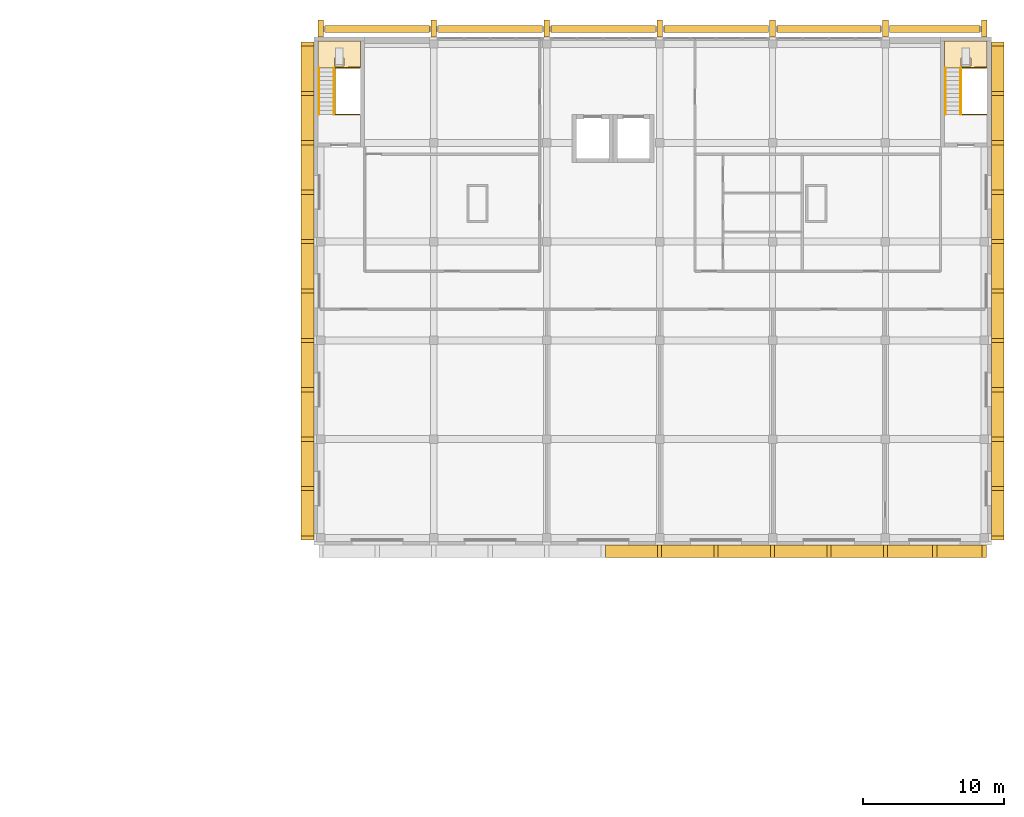
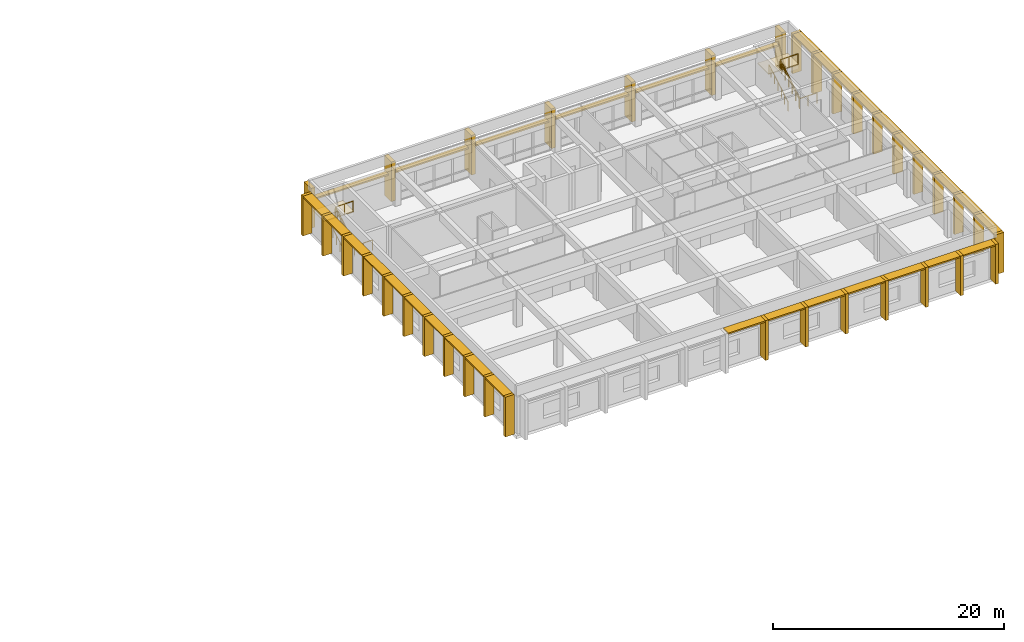
# One storey, part 21 of 21: 69 shading devices, 6 railings, 2 coverings.
"""IFC4 building model written with IfcOpenShell, lengths in metres."""

from ifc_helpers import new_model, si_unit, direction, frame, origin, origin_2d, place, context, subcontext, project, spatial, polyline, rectangle, circle, outline, extrude, material, layer, layer_set, type_object, element, save


model = new_model("IFC4")

# Units and contexts
model_context = context("Model", 3, precision=1e-05, world=origin(), true_north=direction((0.0, 1.0)))
body_context = subcontext(model_context, "Body", "Model", "MODEL_VIEW")
ifc_project = project(units=[si_unit("LENGTHUNIT", "METRE"), si_unit("AREAUNIT", "SQUARE_METRE"), si_unit("VOLUMEUNIT", "CUBIC_METRE"), si_unit("PLANEANGLEUNIT", "RADIAN"), si_unit("MASSUNIT", "GRAM", prefix="KILO")], contexts=[model_context])

# Site, building, storey
site_placement = place(None, origin())
site = spatial("IfcSite", under=ifc_project, at=site_placement, CompositionType="ELEMENT")
building_placement = place(site_placement, origin())
building = spatial("IfcBuilding", under=site, at=building_placement, Name="Elmora Arch Market Hall", CompositionType="ELEMENT")
storey_placement = place(building_placement, frame((0.0, 0.0, 14.39990234375)))
storey = spatial("IfcBuildingStorey", under=building, at=storey_placement, Name="L03", CompositionType="ELEMENT", Elevation=14.39990234375)

# Shading devices
ifc_material_1 = material(Name="Concrete C40/50", Category="concrete")
ifc_layer_1 = layer(ifc_material_1, 0.14990234375)
ifc_layer_set_1 = layer_set([ifc_layer_1], Name="Concrete C40/50")
shading_device_type_1 = type_object("IfcShadingDeviceType", Name="Concrete blade 150x900", PredefinedType="USERDEFINED", material=ifc_layer_set_1)
for number, where, z_axis, x_axis, name in (
    (1, (108.5, 129.550048828125, 4.050048828125), (0.0, 0.0, 1.0), (1.0, 0.0, 0.0), "School blade S6 RF"),
    (2, (112.5, 129.550048828125, 4.050048828125), (0.0, 0.0, 1.0), (1.0, 0.0, 0.0), "School blade S7 RF"),
    (3, (116.5, 129.550048828125, 4.050048828125), (0.0, 0.0, 1.0), (1.0, 0.0, 0.0), "School blade S8 RF"),
    (4, (120.5, 129.550048828125, 4.050048828125), (0.0, 0.0, 1.0), (1.0, 0.0, 0.0), "School blade S9 RF"),
    (5, (124.5, 129.550048828125, 4.050048828125), (0.0, 0.0, 1.0), (1.0, 0.0, 0.0), "School blade S10 RF"),
):
    element("IfcShadingDevice", number, at=place(storey_placement, frame(where, z_axis=z_axis, x_axis=x_axis)), inside=storey, type_object=shading_device_type_1, Name=name, ObjectType="BLADE", PredefinedType="USERDEFINED", context=body_context, shape_type="SweptSolid", body=[
        extrude(rectangle(XDim=3.699951171875, YDim=0.89990234375, at=origin_2d()), origin(), (0.0, 0.0, 1.0), 0.14990234375),
    ])
for number, where, z_axis, x_axis, name in (
    (6, (128.25, 129.550048828125, 4.050048828125), (0.0, 0.0, 1.0), (1.0, 0.0, 0.0), "School blade S11 RF"),
    (7, (131.75, 129.550048828125, 4.050048828125), (0.0, 0.0, 1.0), (1.0, 0.0, 0.0), "School blade S12 RF"),
):
    element("IfcShadingDevice", number, at=place(storey_placement, frame(where, z_axis=z_axis, x_axis=x_axis)), inside=storey, type_object=shading_device_type_1, Name=name, ObjectType="BLADE", PredefinedType="USERDEFINED", context=body_context, shape_type="SweptSolid", body=[
        extrude(rectangle(XDim=3.199951171875, YDim=0.89990234375, at=origin_2d()), origin(), (0.0, 0.0, 1.0), 0.14990234375),
    ])
for number, where, z_axis, x_axis, name in (
    (8, (85.550048828125, 132.25, 4.050048828125), (0.0, 0.0, 1.0), (1.0, 0.0, 0.0), "School blade W1 RF"),
    (9, (85.550048828125, 135.75, 4.050048828125), (0.0, 0.0, 1.0), (1.0, 0.0, 0.0), "School blade W2 RF"),
    (10, (85.550048828125, 139.25, 4.050048828125), (0.0, 0.0, 1.0), (1.0, 0.0, 0.0), "School blade W3 RF"),
    (11, (85.550048828125, 142.75, 4.050048828125), (0.0, 0.0, 1.0), (1.0, 0.0, 0.0), "School blade W4 RF"),
    (12, (85.550048828125, 146.25, 4.050048828125), (0.0, 0.0, 1.0), (1.0, 0.0, 0.0), "School blade W5 RF"),
    (13, (85.550048828125, 149.75, 4.050048828125), (0.0, 0.0, 1.0), (1.0, 0.0, 0.0), "School blade W6 RF"),
    (14, (85.550048828125, 153.25, 4.050048828125), (0.0, 0.0, 1.0), (1.0, 0.0, 0.0), "School blade W7 RF"),
    (15, (85.550048828125, 156.75, 4.050048828125), (0.0, 0.0, 1.0), (1.0, 0.0, 0.0), "School blade W8 RF"),
    (16, (85.550048828125, 160.25, 4.050048828125), (0.0, 0.0, 1.0), (1.0, 0.0, 0.0), "School blade W9 RF"),
    (17, (85.550048828125, 163.75, 4.050048828125), (0.0, 0.0, 1.0), (1.0, 0.0, 0.0), "School blade W10 RF"),
    (18, (134.449951171875, 132.25, 4.050048828125), (0.0, 0.0, 1.0), (1.0, 0.0, 0.0), "School blade E1 RF"),
    (19, (134.449951171875, 135.75, 4.050048828125), (0.0, 0.0, 1.0), (1.0, 0.0, 0.0), "School blade E2 RF"),
    (20, (134.449951171875, 139.25, 4.050048828125), (0.0, 0.0, 1.0), (1.0, 0.0, 0.0), "School blade E3 RF"),
    (21, (134.449951171875, 142.75, 4.050048828125), (0.0, 0.0, 1.0), (1.0, 0.0, 0.0), "School blade E4 RF"),
    (22, (134.449951171875, 146.25, 4.050048828125), (0.0, 0.0, 1.0), (1.0, 0.0, 0.0), "School blade E5 RF"),
    (23, (134.449951171875, 149.75, 4.050048828125), (0.0, 0.0, 1.0), (1.0, 0.0, 0.0), "School blade E6 RF"),
    (24, (134.449951171875, 153.25, 4.050048828125), (0.0, 0.0, 1.0), (1.0, 0.0, 0.0), "School blade E7 RF"),
    (25, (134.449951171875, 156.75, 4.050048828125), (0.0, 0.0, 1.0), (1.0, 0.0, 0.0), "School blade E8 RF"),
    (26, (134.449951171875, 160.25, 4.050048828125), (0.0, 0.0, 1.0), (1.0, 0.0, 0.0), "School blade E9 RF"),
    (27, (134.449951171875, 163.75, 4.050048828125), (0.0, 0.0, 1.0), (1.0, 0.0, 0.0), "School blade E10 RF"),
):
    element("IfcShadingDevice", number, at=place(storey_placement, frame(where, z_axis=z_axis, x_axis=x_axis)), inside=storey, type_object=shading_device_type_1, Name=name, ObjectType="BLADE", PredefinedType="USERDEFINED", context=body_context, shape_type="SweptSolid", body=[
        extrude(rectangle(XDim=0.89990234375, YDim=3.199951171875, at=origin_2d()), origin(), (0.0, 0.0, 1.0), 0.14990234375),
    ])
ifc_material_2 = material(Name="Concrete C40/50", Category="concrete")
shading_device_type_2 = type_object("IfcShadingDeviceType", Name="Concrete fin 300x900", PredefinedType="USERDEFINED", material=ifc_material_2)
for number, where, z_axis, x_axis, name in (
    (28, (110.5, 129.550048828125, 0.0), (0.0, 0.0, 1.0), (1.0, 0.0, 0.0), "School fin S7 L03"),
    (29, (114.5, 129.550048828125, 0.0), (0.0, 0.0, 1.0), (1.0, 0.0, 0.0), "School fin S8 L03"),
    (30, (118.5, 129.550048828125, 0.0), (0.0, 0.0, 1.0), (1.0, 0.0, 0.0), "School fin S9 L03"),
    (31, (122.5, 129.550048828125, 0.0), (0.0, 0.0, 1.0), (1.0, 0.0, 0.0), "School fin S10 L03"),
    (32, (126.5, 129.550048828125, 0.0), (0.0, 0.0, 1.0), (1.0, 0.0, 0.0), "School fin S11 L03"),
    (33, (130.0, 129.550048828125, 0.0), (0.0, 0.0, 1.0), (1.0, 0.0, 0.0), "School fin S12 L03"),
    (34, (133.5, 129.550048828125, 0.0), (0.0, 0.0, 1.0), (1.0, 0.0, 0.0), "School fin S13 L03"),
):
    element("IfcShadingDevice", number, at=place(storey_placement, frame(where, z_axis=z_axis, x_axis=x_axis)), inside=storey, type_object=shading_device_type_2, Name=name, ObjectType="FIN", PredefinedType="USERDEFINED", context=body_context, shape_type="SweptSolid", body=[
        extrude(rectangle(XDim=0.300048828125, YDim=0.89990234375, at=origin_2d()), origin(), (0.0, 0.0, 1.0), 4.199951171875),
    ])
for number, where, z_axis, x_axis, name in (
    (35, (85.550048828125, 130.5, 0.0), (0.0, 0.0, 1.0), (1.0, 0.0, 0.0), "School fin W1 L03"),
    (36, (85.550048828125, 134.0, 0.0), (0.0, 0.0, 1.0), (1.0, 0.0, 0.0), "School fin W2 L03"),
    (37, (85.550048828125, 137.5, 0.0), (0.0, 0.0, 1.0), (1.0, 0.0, 0.0), "School fin W3 L03"),
    (38, (85.550048828125, 141.0, 0.0), (0.0, 0.0, 1.0), (1.0, 0.0, 0.0), "School fin W4 L03"),
    (39, (85.550048828125, 144.5, 0.0), (0.0, 0.0, 1.0), (1.0, 0.0, 0.0), "School fin W5 L03"),
    (40, (85.550048828125, 148.0, 0.0), (0.0, 0.0, 1.0), (1.0, 0.0, 0.0), "School fin W6 L03"),
    (41, (85.550048828125, 151.5, 0.0), (0.0, 0.0, 1.0), (1.0, 0.0, 0.0), "School fin W7 L03"),
    (42, (85.550048828125, 155.0, 0.0), (0.0, 0.0, 1.0), (1.0, 0.0, 0.0), "School fin W8 L03"),
    (43, (85.550048828125, 158.5, 0.0), (0.0, 0.0, 1.0), (1.0, 0.0, 0.0), "School fin W9 L03"),
    (44, (85.550048828125, 162.0, 0.0), (0.0, 0.0, 1.0), (1.0, 0.0, 0.0), "School fin W10 L03"),
    (45, (85.550048828125, 165.5, 0.0), (0.0, 0.0, 1.0), (1.0, 0.0, 0.0), "School fin W11 L03"),
    (46, (134.449951171875, 130.5, 0.0), (0.0, 0.0, 1.0), (1.0, 0.0, 0.0), "School fin E1 L03"),
    (47, (134.449951171875, 134.0, 0.0), (0.0, 0.0, 1.0), (1.0, 0.0, 0.0), "School fin E2 L03"),
    (48, (134.449951171875, 137.5, 0.0), (0.0, 0.0, 1.0), (1.0, 0.0, 0.0), "School fin E3 L03"),
    (49, (134.449951171875, 141.0, 0.0), (0.0, 0.0, 1.0), (1.0, 0.0, 0.0), "School fin E4 L03"),
    (50, (134.449951171875, 144.5, 0.0), (0.0, 0.0, 1.0), (1.0, 0.0, 0.0), "School fin E5 L03"),
    (51, (134.449951171875, 148.0, 0.0), (0.0, 0.0, 1.0), (1.0, 0.0, 0.0), "School fin E6 L03"),
    (52, (134.449951171875, 151.5, 0.0), (0.0, 0.0, 1.0), (1.0, 0.0, 0.0), "School fin E7 L03"),
    (53, (134.449951171875, 155.0, 0.0), (0.0, 0.0, 1.0), (1.0, 0.0, 0.0), "School fin E8 L03"),
    (54, (134.449951171875, 158.5, 0.0), (0.0, 0.0, 1.0), (1.0, 0.0, 0.0), "School fin E9 L03"),
    (55, (134.449951171875, 162.0, 0.0), (0.0, 0.0, 1.0), (1.0, 0.0, 0.0), "School fin E10 L03"),
    (56, (134.449951171875, 165.5, 0.0), (0.0, 0.0, 1.0), (1.0, 0.0, 0.0), "School fin E11 L03"),
):
    element("IfcShadingDevice", number, at=place(storey_placement, frame(where, z_axis=z_axis, x_axis=x_axis)), inside=storey, type_object=shading_device_type_2, Name=name, ObjectType="FIN", PredefinedType="USERDEFINED", context=body_context, shape_type="SweptSolid", body=[
        extrude(rectangle(XDim=0.89990234375, YDim=0.300048828125, at=origin_2d()), origin(), (0.0, 0.0, 1.0), 4.199951171875),
    ])

# Coverings
ifc_material_3 = material(Name="Cement sand screed")
ifc_layer_2 = layer(ifc_material_3, 0.10009765625)
ifc_layer_set_2 = layer_set([ifc_layer_2], Name="Cement sand screed")
covering_type = type_object("IfcCoveringType", Name="Platform screed 100", PredefinedType="FLOORING", material=ifc_layer_set_2)
covering_1_placement = place(storey_placement, frame((0.0, 0.0, 2.0)))
element("IfcCovering", 57, at=covering_1_placement, inside=storey, type_object=covering_type, Name="Roof access platform finish ST-SCW", PredefinedType="FLOORING", context=body_context, shape_type="SweptSolid", body=[
    extrude(outline(polyline([(86.300048828125, 163.800048828125), (89.300048828125, 163.800048828125), (89.300048828125, 165.699951171875), (86.300048828125, 165.699951171875), (86.300048828125, 163.800048828125)]), holes=[polyline([(87.449951171875, 163.949951171875), (88.14990234375, 163.949951171875), (88.14990234375, 164.5), (87.449951171875, 164.5), (87.449951171875, 163.949951171875)])]), origin(), (0.0, 0.0, 1.0), 0.10009765625),
])
covering_2_placement = place(storey_placement, frame((0.0, 0.0, 2.0)))
element("IfcCovering", 58, at=covering_2_placement, inside=storey, type_object=covering_type, Name="Roof access platform finish ST-SCE", PredefinedType="FLOORING", context=body_context, shape_type="SweptSolid", body=[
    extrude(outline(polyline([(130.699951171875, 163.800048828125), (133.699951171875, 163.800048828125), (133.699951171875, 165.699951171875), (130.699951171875, 165.699951171875), (130.699951171875, 163.800048828125)]), holes=[polyline([(131.85009765625, 163.949951171875), (132.550048828125, 163.949951171875), (132.550048828125, 164.5), (131.85009765625, 164.5), (131.85009765625, 163.949951171875)])]), origin(), (0.0, 0.0, 1.0), 0.10009765625),
])

# Shading devices
ifc_material_4 = material(Name="Concrete C40/50", Category="concrete")
ifc_layer_3 = layer(ifc_material_4, 0.14990234375)
ifc_layer_set_3 = layer_set([ifc_layer_3], Name="Concrete C40/50")
shading_device_type_3 = type_object("IfcShadingDeviceType", Name="School blade 150x500", PredefinedType="USERDEFINED", material=ifc_layer_set_3)
for number, where, z_axis, x_axis, name in (
    (59, (90.5, 166.550048828125, 2.650146484375), (0.0, 0.0, 1.0), (1.0, 0.0, 0.0), "School blade N1 L03"),
    (60, (98.5, 166.550048828125, 2.650146484375), (0.0, 0.0, 1.0), (1.0, 0.0, 0.0), "School blade N2 L03"),
    (61, (106.5, 166.550048828125, 2.650146484375), (0.0, 0.0, 1.0), (1.0, 0.0, 0.0), "School blade N3 L03"),
    (62, (114.5, 166.550048828125, 2.650146484375), (0.0, 0.0, 1.0), (1.0, 0.0, 0.0), "School blade N4 L03"),
    (63, (122.5, 166.550048828125, 2.650146484375), (0.0, 0.0, 1.0), (1.0, 0.0, 0.0), "School blade N5 L03"),
):
    element("IfcShadingDevice", number, at=place(storey_placement, frame(where, z_axis=z_axis, x_axis=x_axis)), inside=storey, type_object=shading_device_type_3, Name=name, ObjectType="BLADE", PredefinedType="USERDEFINED", context=body_context, shape_type="SweptSolid", body=[
        extrude(rectangle(XDim=7.39990234375, YDim=0.5, at=origin_2d()), origin(), (0.0, 0.0, 1.0), 0.14990234375),
    ])
shading_device_placement = place(storey_placement, frame((130.0, 166.550048828125, 2.650146484375), z_axis=(0.0, 0.0, 1.0), x_axis=(1.0, 0.0, 0.0)))
element("IfcShadingDevice", 64, at=shading_device_placement, inside=storey, type_object=shading_device_type_3, Name="School blade N6 L03", ObjectType="BLADE", PredefinedType="USERDEFINED", context=body_context, shape_type="SweptSolid", body=[
    extrude(rectangle(XDim=6.39990234375, YDim=0.5, at=origin_2d()), origin(), (0.0, 0.0, 1.0), 0.14990234375),
])
ifc_material_5 = material(Name="Concrete C40/50", Category="concrete")
shading_device_type_4 = type_object("IfcShadingDeviceType", Name="School fin 400x1200", PredefinedType="USERDEFINED", material=ifc_material_5)
for number, where, z_axis, x_axis, name in (
    (65, (86.5, 166.60009765625, 0.0), (0.0, 0.0, 1.0), (1.0, 0.0, 0.0), "School fin N1 L03"),
    (66, (94.5, 166.60009765625, 0.0), (0.0, 0.0, 1.0), (1.0, 0.0, 0.0), "School fin N2 L03"),
    (67, (102.5, 166.60009765625, 0.0), (0.0, 0.0, 1.0), (1.0, 0.0, 0.0), "School fin N3 L03"),
    (68, (110.5, 166.60009765625, 0.0), (0.0, 0.0, 1.0), (1.0, 0.0, 0.0), "School fin N4 L03"),
    (69, (118.5, 166.60009765625, 0.0), (0.0, 0.0, 1.0), (1.0, 0.0, 0.0), "School fin N5 L03"),
    (70, (126.5, 166.60009765625, 0.0), (0.0, 0.0, 1.0), (1.0, 0.0, 0.0), "School fin N6 L03"),
    (71, (133.5, 166.60009765625, 0.0), (0.0, 0.0, 1.0), (1.0, 0.0, 0.0), "School fin N7 L03"),
):
    element("IfcShadingDevice", number, at=place(storey_placement, frame(where, z_axis=z_axis, x_axis=x_axis)), inside=storey, type_object=shading_device_type_4, Name=name, ObjectType="FIN", PredefinedType="USERDEFINED", context=body_context, shape_type="SweptSolid", body=[
        extrude(rectangle(XDim=0.39990234375, YDim=1.199951171875, at=origin_2d()), origin(), (0.0, 0.0, 1.0), 4.199951171875),
    ])

# Railings
ifc_material_6 = material(Name="Steel ASTM A500 Gr C", Category="steel")
railing_type_1 = type_object("IfcRailingType", Name="Stair guard 1100", PredefinedType="GUARDRAIL", material=ifc_material_6)
railing_1_placement = place(storey_placement, frame((89.239990234375, 160.5, 0.0)))
element("IfcRailing", 72, at=railing_1_placement, inside=storey, type_object=railing_type_1, Name="Stair ST-SCW guard L03", PredefinedType="GUARDRAIL", context=body_context, shape_type="SweptSolid", body=[
    extrude(circle(Radius=0.02392578125, at=origin_2d()), frame((0.0, 0.0, 1.076171875), z_axis=(-1.0, 0.0, 0.0), x_axis=(0.0, -1.0, 0.0)), (0.0, 0.0, 1.0), 1.760009765625),
    extrude(circle(Radius=0.02392578125, at=origin_2d()), frame((-1.760009765625, 0.0, 1.076171875), z_axis=(0.0, 0.0, 1.0), x_axis=(1.0, 0.0, 0.0)), (0.0, 0.0, 1.0), 0.175048828125),
    extrude(circle(Radius=0.02392578125, at=origin_2d()), frame((-1.760009765625, 0.0, 1.2509765625), z_axis=(0.0, 0.863753409277, 0.503914722906), x_axis=(-1.0, 0.0, 0.0)), (0.0, 0.0, 1.0), 0.69482421875),
    extrude(circle(Radius=0.02392578125, at=origin_2d()), frame((-1.760009765625, 0.60009765625, 1.60107421875), z_axis=(0.0, 0.863817152568, 0.503805445515), x_axis=(-1.0, 0.0, 0.0)), (0.0, 0.0, 1.0), 0.6943359375),
    extrude(circle(Radius=0.02392578125, at=origin_2d()), frame((-1.760009765625, 1.199951171875, 1.951171875), z_axis=(0.0, 0.863753409277, 0.503914722906), x_axis=(-1.0, 0.0, 0.0)), (0.0, 0.0, 1.0), 0.69482421875),
    extrude(circle(Radius=0.02392578125, at=origin_2d()), frame((-1.760009765625, 1.800048828125, 2.30126953125), z_axis=(0.0, 0.863664136355, 0.504067713282), x_axis=(-1.0, 0.0, 0.0)), (0.0, 0.0, 1.0), 0.694580078125),
    extrude(circle(Radius=0.02392578125, at=origin_2d()), frame((-1.760009765625, 2.39990234375, 2.6513671875), z_axis=(0.0, 0.863906348401, 0.503652480577), x_axis=(-1.0, 0.0, 0.0)), (0.0, 0.0, 1.0), 0.694580078125),
    extrude(circle(Radius=0.02392578125, at=origin_2d()), frame((-1.760009765625, 3.0, 3.0009765625), z_axis=(0.0, 0.863753409277, 0.503914722906), x_axis=(-1.0, 0.0, 0.0)), (0.0, 0.0, 1.0), 0.347412109375),
    extrude(circle(Radius=0.02392578125, at=origin_2d()), frame((-1.760009765625, 3.300048828125, 3.17626953125), z_axis=(0.999935314712, 0.011373934777, 0.0), x_axis=(-0.011373934777, 0.999935314712, 0.0)), (0.0, 0.0, 1.0), 1.760009765625),
    extrude(circle(Radius=0.02099609375, at=origin_2d()), origin(), (0.0, 0.0, 1.0), 1.052001953125),
    extrude(circle(Radius=0.02099609375, at=origin_2d()), frame((-0.8798828125, 0.0, 0.0)), (0.0, 0.0, 1.0), 1.052001953125),
    extrude(circle(Radius=0.02099609375, at=origin_2d()), frame((-1.760009765625, 0.0, 0.0)), (0.0, 0.0, 1.0), 1.052001953125),
    extrude(circle(Radius=0.02099609375, at=origin_2d()), frame((-1.760009765625, 0.0, 0.175048828125)), (0.0, 0.0, 1.0), 1.052001953125),
    extrude(circle(Radius=0.02099609375, at=origin_2d()), frame((-1.760009765625, 0.60009765625, 0.525146484375)), (0.0, 0.0, 1.0), 1.052001953125),
    extrude(circle(Radius=0.02099609375, at=origin_2d()), frame((-1.760009765625, 1.199951171875, 0.875)), (0.0, 0.0, 1.0), 1.052001953125),
    extrude(circle(Radius=0.02099609375, at=origin_2d()), frame((-1.760009765625, 1.800048828125, 1.22509765625)), (0.0, 0.0, 1.0), 1.052001953125),
    extrude(circle(Radius=0.02099609375, at=origin_2d()), frame((-1.760009765625, 2.39990234375, 1.5751953125)), (0.0, 0.0, 1.0), 1.052001953125),
    extrude(circle(Radius=0.02099609375, at=origin_2d()), frame((-1.760009765625, 3.0, 1.925048828125)), (0.0, 0.0, 1.0), 1.052001953125),
    extrude(circle(Radius=0.02099609375, at=origin_2d()), frame((-1.760009765625, 3.300048828125, 2.10009765625)), (0.0, 0.0, 1.0), 1.052001953125),
    extrude(circle(Radius=0.02099609375, at=origin_2d()), frame((-0.8798828125, 3.31005859375, 2.10009765625)), (0.0, 0.0, 1.0), 1.052001953125),
    extrude(circle(Radius=0.02099609375, at=origin_2d()), frame((0.0, 3.320068359375, 2.10009765625)), (0.0, 0.0, 1.0), 1.052001953125),
])
railing_2_placement = place(storey_placement, frame((133.639892578125, 160.5, 0.0)))
element("IfcRailing", 73, at=railing_2_placement, inside=storey, type_object=railing_type_1, Name="Stair ST-SCE guard L03", PredefinedType="GUARDRAIL", context=body_context, shape_type="SweptSolid", body=[
    extrude(circle(Radius=0.02392578125, at=origin_2d()), frame((0.0, 0.0, 1.076171875), z_axis=(-1.0, 0.0, 0.0), x_axis=(0.0, -1.0, 0.0)), (0.0, 0.0, 1.0), 1.760009765625),
    extrude(circle(Radius=0.02392578125, at=origin_2d()), frame((-1.760009765625, 0.0, 1.076171875), z_axis=(0.0, 0.0, 1.0), x_axis=(1.0, 0.0, 0.0)), (0.0, 0.0, 1.0), 0.175048828125),
    extrude(circle(Radius=0.02392578125, at=origin_2d()), frame((-1.760009765625, 0.0, 1.2509765625), z_axis=(0.0, 0.863753409277, 0.503914722906), x_axis=(-1.0, 0.0, 0.0)), (0.0, 0.0, 1.0), 0.69482421875),
    extrude(circle(Radius=0.02392578125, at=origin_2d()), frame((-1.760009765625, 0.60009765625, 1.60107421875), z_axis=(0.0, 0.863817152568, 0.503805445515), x_axis=(-1.0, 0.0, 0.0)), (0.0, 0.0, 1.0), 0.6943359375),
    extrude(circle(Radius=0.02392578125, at=origin_2d()), frame((-1.760009765625, 1.199951171875, 1.951171875), z_axis=(0.0, 0.863753409277, 0.503914722906), x_axis=(-1.0, 0.0, 0.0)), (0.0, 0.0, 1.0), 0.69482421875),
    extrude(circle(Radius=0.02392578125, at=origin_2d()), frame((-1.760009765625, 1.800048828125, 2.30126953125), z_axis=(0.0, 0.863664136355, 0.504067713282), x_axis=(-1.0, 0.0, 0.0)), (0.0, 0.0, 1.0), 0.694580078125),
    extrude(circle(Radius=0.02392578125, at=origin_2d()), frame((-1.760009765625, 2.39990234375, 2.6513671875), z_axis=(0.0, 0.863906348401, 0.503652480577), x_axis=(-1.0, 0.0, 0.0)), (0.0, 0.0, 1.0), 0.694580078125),
    extrude(circle(Radius=0.02392578125, at=origin_2d()), frame((-1.760009765625, 3.0, 3.0009765625), z_axis=(0.0, 0.863753409277, 0.503914722906), x_axis=(-1.0, 0.0, 0.0)), (0.0, 0.0, 1.0), 0.347412109375),
    extrude(circle(Radius=0.02392578125, at=origin_2d()), frame((-1.760009765625, 3.300048828125, 3.17626953125), z_axis=(0.999935314712, 0.011373934777, 0.0), x_axis=(-0.011373934777, 0.999935314712, 0.0)), (0.0, 0.0, 1.0), 1.760009765625),
    extrude(circle(Radius=0.02099609375, at=origin_2d()), origin(), (0.0, 0.0, 1.0), 1.052001953125),
    extrude(circle(Radius=0.02099609375, at=origin_2d()), frame((-0.8798828125, 0.0, 0.0)), (0.0, 0.0, 1.0), 1.052001953125),
    extrude(circle(Radius=0.02099609375, at=origin_2d()), frame((-1.760009765625, 0.0, 0.0)), (0.0, 0.0, 1.0), 1.052001953125),
    extrude(circle(Radius=0.02099609375, at=origin_2d()), frame((-1.760009765625, 0.0, 0.175048828125)), (0.0, 0.0, 1.0), 1.052001953125),
    extrude(circle(Radius=0.02099609375, at=origin_2d()), frame((-1.760009765625, 0.60009765625, 0.525146484375)), (0.0, 0.0, 1.0), 1.052001953125),
    extrude(circle(Radius=0.02099609375, at=origin_2d()), frame((-1.760009765625, 1.199951171875, 0.875)), (0.0, 0.0, 1.0), 1.052001953125),
    extrude(circle(Radius=0.02099609375, at=origin_2d()), frame((-1.760009765625, 1.800048828125, 1.22509765625)), (0.0, 0.0, 1.0), 1.052001953125),
    extrude(circle(Radius=0.02099609375, at=origin_2d()), frame((-1.760009765625, 2.39990234375, 1.5751953125)), (0.0, 0.0, 1.0), 1.052001953125),
    extrude(circle(Radius=0.02099609375, at=origin_2d()), frame((-1.760009765625, 3.0, 1.925048828125)), (0.0, 0.0, 1.0), 1.052001953125),
    extrude(circle(Radius=0.02099609375, at=origin_2d()), frame((-1.760009765625, 3.300048828125, 2.10009765625)), (0.0, 0.0, 1.0), 1.052001953125),
    extrude(circle(Radius=0.02099609375, at=origin_2d()), frame((-0.8798828125, 3.31005859375, 2.10009765625)), (0.0, 0.0, 1.0), 1.052001953125),
    extrude(circle(Radius=0.02099609375, at=origin_2d()), frame((0.0, 3.320068359375, 2.10009765625)), (0.0, 0.0, 1.0), 1.052001953125),
])
ifc_material_7 = material(Name="Stainless steel ASTM A554 Grade 304", Category="steel")
railing_type_2 = type_object("IfcRailingType", Name="Stair handrail 950", PredefinedType="HANDRAIL", material=ifc_material_7)
railing_3_placement = place(storey_placement, frame((86.360107421875, 160.5, 0.175048828125)))
element("IfcRailing", 74, at=railing_3_placement, inside=storey, type_object=railing_type_2, Name="Stair ST-SCW L03 flight 1 handrail", PredefinedType="HANDRAIL", context=body_context, shape_type="SweptSolid", body=[
    extrude(circle(Radius=0.02392578125, at=origin_2d()), frame((0.0, 0.0, 0.92578125), z_axis=(0.0, 0.863753409277, 0.503914722906), x_axis=(-1.0, 0.0, 0.0)), (0.0, 0.0, 1.0), 0.69482421875),
    extrude(circle(Radius=0.02392578125, at=origin_2d()), frame((0.0, 0.60009765625, 1.27587890625), z_axis=(0.0, 0.863817152568, 0.503805445515), x_axis=(-1.0, 0.0, 0.0)), (0.0, 0.0, 1.0), 0.6943359375),
    extrude(circle(Radius=0.02392578125, at=origin_2d()), frame((0.0, 1.199951171875, 1.6259765625), z_axis=(0.0, 0.863753409277, 0.503914722906), x_axis=(-1.0, 0.0, 0.0)), (0.0, 0.0, 1.0), 0.69482421875),
    extrude(circle(Radius=0.02392578125, at=origin_2d()), frame((0.0, 1.800048828125, 1.97607421875), z_axis=(0.0, 0.863664136355, 0.504067713282), x_axis=(-1.0, 0.0, 0.0)), (0.0, 0.0, 1.0), 0.694580078125),
    extrude(circle(Radius=0.02392578125, at=origin_2d()), frame((0.0, 2.39990234375, 2.326171875), z_axis=(0.0, 0.863906348401, 0.503652480577), x_axis=(-1.0, 0.0, 0.0)), (0.0, 0.0, 1.0), 0.694580078125),
    extrude(circle(Radius=0.02392578125, at=origin_2d()), frame((0.0, 3.0, 2.67578125), z_axis=(0.0, 0.863753409277, 0.503914722906), x_axis=(-1.0, 0.0, 0.0)), (0.0, 0.0, 1.0), 0.347412109375),
    extrude(circle(Radius=0.02099609375, at=origin_2d()), origin(), (0.0, 0.0, 1.0), 0.90185546875),
    extrude(circle(Radius=0.02099609375, at=origin_2d()), frame((0.0, 0.60009765625, 0.35009765625)), (0.0, 0.0, 1.0), 0.90185546875),
    extrude(circle(Radius=0.02099609375, at=origin_2d()), frame((0.0, 1.199951171875, 0.699951171875)), (0.0, 0.0, 1.0), 0.90185546875),
    extrude(circle(Radius=0.02099609375, at=origin_2d()), frame((0.0, 1.800048828125, 1.050048828125)), (0.0, 0.0, 1.0), 0.90185546875),
    extrude(circle(Radius=0.02099609375, at=origin_2d()), frame((0.0, 2.39990234375, 1.400146484375)), (0.0, 0.0, 1.0), 0.90185546875),
    extrude(circle(Radius=0.02099609375, at=origin_2d()), frame((0.0, 3.0, 1.75)), (0.0, 0.0, 1.0), 0.90185546875),
    extrude(circle(Radius=0.02099609375, at=origin_2d()), frame((0.0, 3.300048828125, 1.925048828125)), (0.0, 0.0, 1.0), 0.90185546875),
])
railing_4_placement = place(storey_placement, frame((87.429931640625, 160.5, 0.175048828125)))
element("IfcRailing", 75, at=railing_4_placement, inside=storey, type_object=railing_type_2, Name="Stair ST-SCW L03 flight 1 handrail", PredefinedType="HANDRAIL", context=body_context, shape_type="SweptSolid", body=[
    extrude(circle(Radius=0.02392578125, at=origin_2d()), frame((0.0, 0.0, 0.92578125), z_axis=(0.0, 0.863753409277, 0.503914722906), x_axis=(-1.0, 0.0, 0.0)), (0.0, 0.0, 1.0), 0.69482421875),
    extrude(circle(Radius=0.02392578125, at=origin_2d()), frame((0.0, 0.60009765625, 1.27587890625), z_axis=(0.0, 0.863817152568, 0.503805445515), x_axis=(-1.0, 0.0, 0.0)), (0.0, 0.0, 1.0), 0.6943359375),
    extrude(circle(Radius=0.02392578125, at=origin_2d()), frame((0.0, 1.199951171875, 1.6259765625), z_axis=(0.0, 0.863753409277, 0.503914722906), x_axis=(-1.0, 0.0, 0.0)), (0.0, 0.0, 1.0), 0.69482421875),
    extrude(circle(Radius=0.02392578125, at=origin_2d()), frame((0.0, 1.800048828125, 1.97607421875), z_axis=(0.0, 0.863664136355, 0.504067713282), x_axis=(-1.0, 0.0, 0.0)), (0.0, 0.0, 1.0), 0.694580078125),
    extrude(circle(Radius=0.02392578125, at=origin_2d()), frame((0.0, 2.39990234375, 2.326171875), z_axis=(0.0, 0.863906348401, 0.503652480577), x_axis=(-1.0, 0.0, 0.0)), (0.0, 0.0, 1.0), 0.694580078125),
    extrude(circle(Radius=0.02392578125, at=origin_2d()), frame((0.0, 3.0, 2.67578125), z_axis=(0.0, 0.863753409277, 0.503914722906), x_axis=(-1.0, 0.0, 0.0)), (0.0, 0.0, 1.0), 0.347412109375),
    extrude(circle(Radius=0.02099609375, at=origin_2d()), origin(), (0.0, 0.0, 1.0), 0.90185546875),
    extrude(circle(Radius=0.02099609375, at=origin_2d()), frame((0.0, 0.60009765625, 0.35009765625)), (0.0, 0.0, 1.0), 0.90185546875),
    extrude(circle(Radius=0.02099609375, at=origin_2d()), frame((0.0, 1.199951171875, 0.699951171875)), (0.0, 0.0, 1.0), 0.90185546875),
    extrude(circle(Radius=0.02099609375, at=origin_2d()), frame((0.0, 1.800048828125, 1.050048828125)), (0.0, 0.0, 1.0), 0.90185546875),
    extrude(circle(Radius=0.02099609375, at=origin_2d()), frame((0.0, 2.39990234375, 1.400146484375)), (0.0, 0.0, 1.0), 0.90185546875),
    extrude(circle(Radius=0.02099609375, at=origin_2d()), frame((0.0, 3.0, 1.75)), (0.0, 0.0, 1.0), 0.90185546875),
    extrude(circle(Radius=0.02099609375, at=origin_2d()), frame((0.0, 3.300048828125, 1.925048828125)), (0.0, 0.0, 1.0), 0.90185546875),
])
railing_5_placement = place(storey_placement, frame((130.760009765625, 160.5, 0.175048828125)))
element("IfcRailing", 76, at=railing_5_placement, inside=storey, type_object=railing_type_2, Name="Stair ST-SCE L03 flight 1 handrail", PredefinedType="HANDRAIL", context=body_context, shape_type="SweptSolid", body=[
    extrude(circle(Radius=0.02392578125, at=origin_2d()), frame((0.0, 0.0, 0.92578125), z_axis=(0.0, 0.863753409277, 0.503914722906), x_axis=(-1.0, 0.0, 0.0)), (0.0, 0.0, 1.0), 0.69482421875),
    extrude(circle(Radius=0.02392578125, at=origin_2d()), frame((0.0, 0.60009765625, 1.27587890625), z_axis=(0.0, 0.863817152568, 0.503805445515), x_axis=(-1.0, 0.0, 0.0)), (0.0, 0.0, 1.0), 0.6943359375),
    extrude(circle(Radius=0.02392578125, at=origin_2d()), frame((0.0, 1.199951171875, 1.6259765625), z_axis=(0.0, 0.863753409277, 0.503914722906), x_axis=(-1.0, 0.0, 0.0)), (0.0, 0.0, 1.0), 0.69482421875),
    extrude(circle(Radius=0.02392578125, at=origin_2d()), frame((0.0, 1.800048828125, 1.97607421875), z_axis=(0.0, 0.863664136355, 0.504067713282), x_axis=(-1.0, 0.0, 0.0)), (0.0, 0.0, 1.0), 0.694580078125),
    extrude(circle(Radius=0.02392578125, at=origin_2d()), frame((0.0, 2.39990234375, 2.326171875), z_axis=(0.0, 0.863906348401, 0.503652480577), x_axis=(-1.0, 0.0, 0.0)), (0.0, 0.0, 1.0), 0.694580078125),
    extrude(circle(Radius=0.02392578125, at=origin_2d()), frame((0.0, 3.0, 2.67578125), z_axis=(0.0, 0.863753409277, 0.503914722906), x_axis=(-1.0, 0.0, 0.0)), (0.0, 0.0, 1.0), 0.347412109375),
    extrude(circle(Radius=0.02099609375, at=origin_2d()), origin(), (0.0, 0.0, 1.0), 0.90185546875),
    extrude(circle(Radius=0.02099609375, at=origin_2d()), frame((0.0, 0.60009765625, 0.35009765625)), (0.0, 0.0, 1.0), 0.90185546875),
    extrude(circle(Radius=0.02099609375, at=origin_2d()), frame((0.0, 1.199951171875, 0.699951171875)), (0.0, 0.0, 1.0), 0.90185546875),
    extrude(circle(Radius=0.02099609375, at=origin_2d()), frame((0.0, 1.800048828125, 1.050048828125)), (0.0, 0.0, 1.0), 0.90185546875),
    extrude(circle(Radius=0.02099609375, at=origin_2d()), frame((0.0, 2.39990234375, 1.400146484375)), (0.0, 0.0, 1.0), 0.90185546875),
    extrude(circle(Radius=0.02099609375, at=origin_2d()), frame((0.0, 3.0, 1.75)), (0.0, 0.0, 1.0), 0.90185546875),
    extrude(circle(Radius=0.02099609375, at=origin_2d()), frame((0.0, 3.300048828125, 1.925048828125)), (0.0, 0.0, 1.0), 0.90185546875),
])
railing_6_placement = place(storey_placement, frame((131.830078125, 160.5, 0.175048828125)))
element("IfcRailing", 77, at=railing_6_placement, inside=storey, type_object=railing_type_2, Name="Stair ST-SCE L03 flight 1 handrail", PredefinedType="HANDRAIL", context=body_context, shape_type="SweptSolid", body=[
    extrude(circle(Radius=0.02392578125, at=origin_2d()), frame((0.0, 0.0, 0.92578125), z_axis=(0.0, 0.863753409277, 0.503914722906), x_axis=(-1.0, 0.0, 0.0)), (0.0, 0.0, 1.0), 0.69482421875),
    extrude(circle(Radius=0.02392578125, at=origin_2d()), frame((0.0, 0.60009765625, 1.27587890625), z_axis=(0.0, 0.863817152568, 0.503805445515), x_axis=(-1.0, 0.0, 0.0)), (0.0, 0.0, 1.0), 0.6943359375),
    extrude(circle(Radius=0.02392578125, at=origin_2d()), frame((0.0, 1.199951171875, 1.6259765625), z_axis=(0.0, 0.863753409277, 0.503914722906), x_axis=(-1.0, 0.0, 0.0)), (0.0, 0.0, 1.0), 0.69482421875),
    extrude(circle(Radius=0.02392578125, at=origin_2d()), frame((0.0, 1.800048828125, 1.97607421875), z_axis=(0.0, 0.863664136355, 0.504067713282), x_axis=(-1.0, 0.0, 0.0)), (0.0, 0.0, 1.0), 0.694580078125),
    extrude(circle(Radius=0.02392578125, at=origin_2d()), frame((0.0, 2.39990234375, 2.326171875), z_axis=(0.0, 0.863906348401, 0.503652480577), x_axis=(-1.0, 0.0, 0.0)), (0.0, 0.0, 1.0), 0.694580078125),
    extrude(circle(Radius=0.02392578125, at=origin_2d()), frame((0.0, 3.0, 2.67578125), z_axis=(0.0, 0.863753409277, 0.503914722906), x_axis=(-1.0, 0.0, 0.0)), (0.0, 0.0, 1.0), 0.347412109375),
    extrude(circle(Radius=0.02099609375, at=origin_2d()), origin(), (0.0, 0.0, 1.0), 0.90185546875),
    extrude(circle(Radius=0.02099609375, at=origin_2d()), frame((0.0, 0.60009765625, 0.35009765625)), (0.0, 0.0, 1.0), 0.90185546875),
    extrude(circle(Radius=0.02099609375, at=origin_2d()), frame((0.0, 1.199951171875, 0.699951171875)), (0.0, 0.0, 1.0), 0.90185546875),
    extrude(circle(Radius=0.02099609375, at=origin_2d()), frame((0.0, 1.800048828125, 1.050048828125)), (0.0, 0.0, 1.0), 0.90185546875),
    extrude(circle(Radius=0.02099609375, at=origin_2d()), frame((0.0, 2.39990234375, 1.400146484375)), (0.0, 0.0, 1.0), 0.90185546875),
    extrude(circle(Radius=0.02099609375, at=origin_2d()), frame((0.0, 3.0, 1.75)), (0.0, 0.0, 1.0), 0.90185546875),
    extrude(circle(Radius=0.02099609375, at=origin_2d()), frame((0.0, 3.300048828125, 1.925048828125)), (0.0, 0.0, 1.0), 0.90185546875),
])

save(model, "model.ifc")
